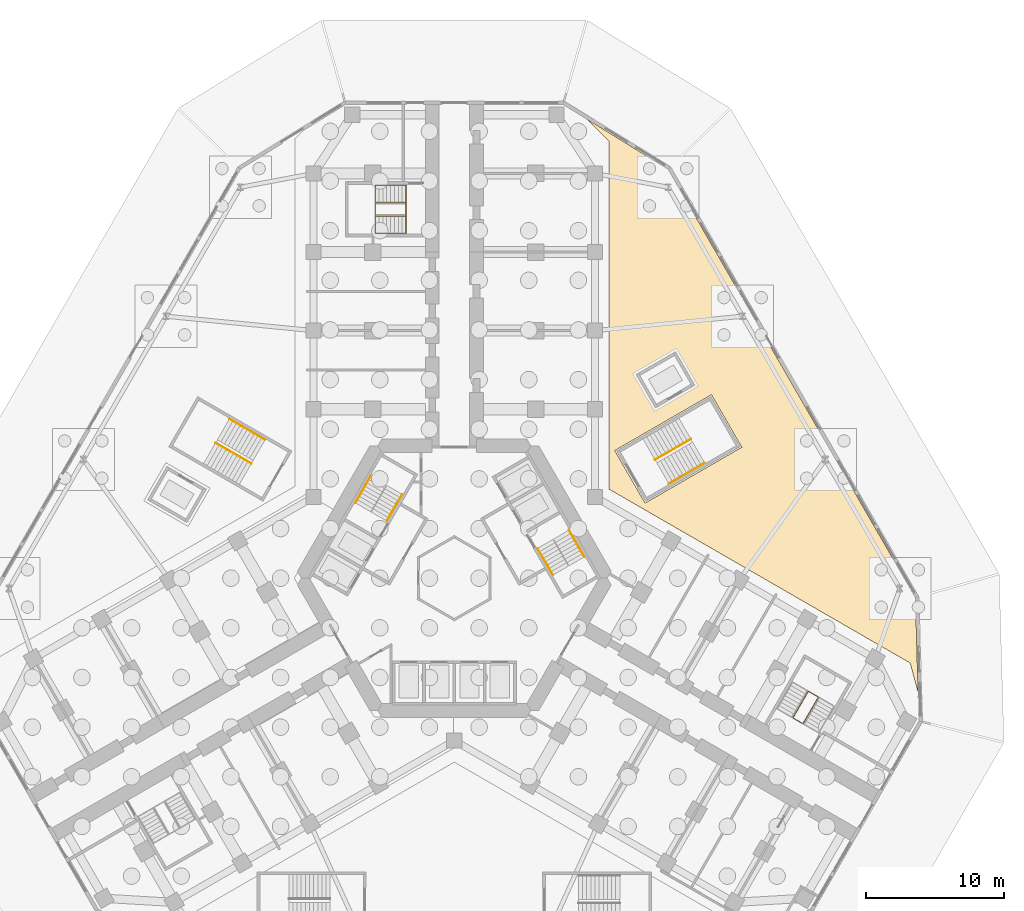
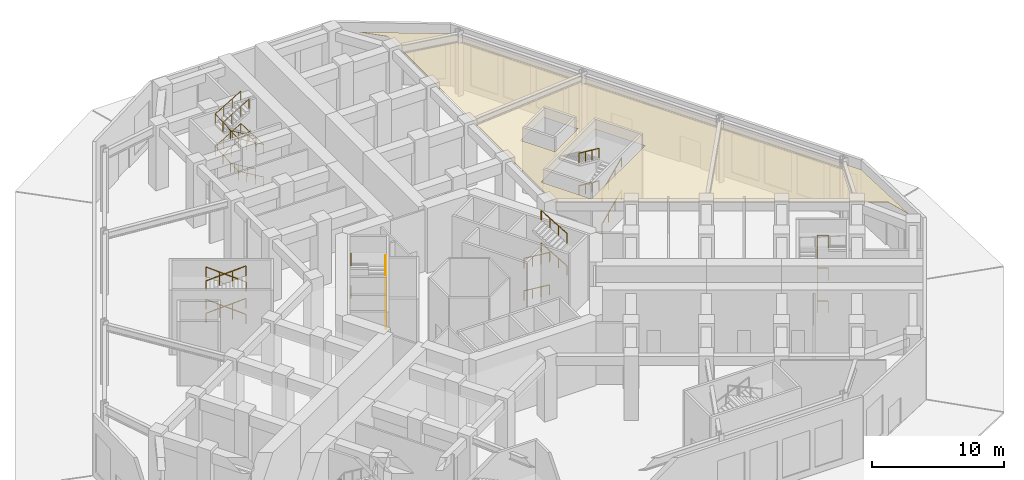
# One storey, part 14 of 16: 19 railings, 1 covering.
"""IFC4 building model written with IfcOpenShell, lengths in metres."""

from ifc_helpers import new_model, si_unit, direction, frame, origin, origin_2d, place, context, subcontext, project, spatial, polyline, circle, outline, extrude, material, layer, layer_set, type_object, element, save


model = new_model("IFC4")

# Units and contexts
model_context = context("Model", 3, precision=1e-05, world=origin(), true_north=direction((0.0, 1.0)))
body_context = subcontext(model_context, "Body", "Model", "MODEL_VIEW")
ifc_project = project(units=[si_unit("LENGTHUNIT", "METRE"), si_unit("AREAUNIT", "SQUARE_METRE"), si_unit("VOLUMEUNIT", "CUBIC_METRE"), si_unit("PLANEANGLEUNIT", "RADIAN"), si_unit("MASSUNIT", "GRAM", prefix="KILO")], contexts=[model_context])

# Site, building, storey
site_placement = place(None, origin())
site = spatial("IfcSite", under=ifc_project, at=site_placement, CompositionType="ELEMENT")
building_placement = place(site_placement, origin())
building = spatial("IfcBuilding", under=site, at=building_placement, Name="Kosmar Iwan School Tower", CompositionType="ELEMENT")
storey_placement = place(building_placement, origin())
storey = spatial("IfcBuildingStorey", under=building, at=storey_placement, Name="L00", CompositionType="ELEMENT", Elevation=0.0)

# Covering
ifc_material_1 = material(Name="Mineral fibre acoustic tiles")
ifc_layer = layer(ifc_material_1, 0.02490234375)
ifc_layer_set = layer_set([ifc_layer], Name="Acoustic ceiling")
covering_type = type_object("IfcCoveringType", Name="Acoustic ceiling", PredefinedType="CEILING", material=ifc_layer_set)
covering_placement = place(storey_placement, frame((0.0, 0.0, 4.800048828125)))
element("IfcCovering", 1, at=covering_placement, inside=storey, type_object=covering_type, Name="Ceiling Dining hall L00-IAC", PredefinedType="CEILING", context=body_context, shape_type="SweptSolid", body=[
    extrude(outline(polyline([(33.629150390625, -8.29052734375), (33.43359375, -1.40869140625), (15.496826171875, 29.65869140625), (9.634521484375, 33.26904296875), (11.199951171875, 31.70361328125), (11.199951171875, 6.46630859375), (33.05615234375, -6.15234375), (33.629150390625, -8.29052734375)]), holes=[polyline([(18.645263671875, 13.30517578125), (11.630615234375, 9.25537109375), (13.83056640625, 5.44482421875), (20.845458984375, 9.49462890625), (18.645263671875, 13.30517578125)]), polyline([(17.57568359375, 13.957763671875), (16.07568359375, 16.555908203125), (13.044677734375, 14.805908203125), (14.544677734375, 12.207763671875), (17.57568359375, 13.957763671875)])]), origin(), (0.0, 0.0, 1.0), 0.02490234375),
])

# Railings
ifc_material_2 = material(Name="Black steel", Category="steel")
railing_type_1 = type_object("IfcRailingType", Name="Stair handrail 900", PredefinedType="HANDRAIL", material=ifc_material_2)
railing_1_placement = place(storey_placement, frame((-4.89453125, 4.142333984375, 0.166748046875)))
element("IfcRailing", 2, at=railing_1_placement, inside=storey, type_object=railing_type_1, Name="Handrail ST2 flight 1", PredefinedType="HANDRAIL", context=body_context, shape_type="SweptSolid", body=[
    extrude(circle(Radius=0.02392578125, at=origin_2d()), frame((0.0, 0.0, 0.8759765625), z_axis=(0.429608131991, 0.744204538217, 0.51146501173), x_axis=(-0.866054910533, 0.49994888933, 0.0)), (0.0, 0.0, 1.0), 2.606689453125),
    extrude(circle(Radius=0.02099609375, at=origin_2d()), origin(), (0.0, 0.0, 1.0), 0.851806640625),
    extrude(circle(Radius=0.02099609375, at=origin_2d()), frame((0.373291015625, 0.646728515625, 0.4443359375)), (0.0, 0.0, 1.0), 0.851806640625),
    extrude(circle(Radius=0.02099609375, at=origin_2d()), frame((0.74658203125, 1.293212890625, 0.888916015625)), (0.0, 0.0, 1.0), 0.851806640625),
    extrude(circle(Radius=0.02099609375, at=origin_2d()), frame((1.119873046875, 1.93994140625, 1.333251953125)), (0.0, 0.0, 1.0), 0.851806640625),
])
railing_2_placement = place(storey_placement, frame((-6.05224609375, 7.397216796875, 1.666748046875)))
element("IfcRailing", 3, at=railing_2_placement, inside=storey, type_object=railing_type_1, Name="Handrail ST2 flight 2", PredefinedType="HANDRAIL", context=body_context, shape_type="SweptSolid", body=[
    extrude(circle(Radius=0.02392578125, at=origin_2d()), frame((0.0, 0.0, 0.8759765625), z_axis=(-0.429684499369, -0.744174592847, 0.511444431354), x_axis=(0.866007717299, -0.500030632641, 0.0)), (0.0, 0.0, 1.0), 2.60693359375),
    extrude(circle(Radius=0.02099609375, at=origin_2d()), origin(), (0.0, 0.0, 1.0), 0.851806640625),
    extrude(circle(Radius=0.02099609375, at=origin_2d()), frame((-0.373291015625, -0.646728515625, 0.4443359375)), (0.0, 0.0, 1.0), 0.851806640625),
    extrude(circle(Radius=0.02099609375, at=origin_2d()), frame((-0.746826171875, -1.293212890625, 0.888916015625)), (0.0, 0.0, 1.0), 0.851806640625),
    extrude(circle(Radius=0.02099609375, at=origin_2d()), frame((-1.1201171875, -1.93994140625, 1.333251953125)), (0.0, 0.0, 1.0), 0.851806640625),
])
railing_3_placement = place(storey_placement, frame((-4.89453125, 4.142333984375, 3.166748046875)))
element("IfcRailing", 4, at=railing_3_placement, inside=storey, type_object=railing_type_1, Name="Handrail ST2 flight 3", PredefinedType="HANDRAIL", context=body_context, shape_type="SweptSolid", body=[
    extrude(circle(Radius=0.02392578125, at=origin_2d()), frame((0.0, 0.0, 0.8759765625), z_axis=(0.429608131991, 0.744204538217, 0.51146501173), x_axis=(-0.866054910533, 0.49994888933, 0.0)), (0.0, 0.0, 1.0), 2.606689453125),
    extrude(circle(Radius=0.02099609375, at=origin_2d()), origin(), (0.0, 0.0, 1.0), 0.851806640625),
    extrude(circle(Radius=0.02099609375, at=origin_2d()), frame((0.373291015625, 0.646728515625, 0.4443359375)), (0.0, 0.0, 1.0), 0.851806640625),
    extrude(circle(Radius=0.02099609375, at=origin_2d()), frame((0.74658203125, 1.293212890625, 0.888916015625)), (0.0, 0.0, 1.0), 0.851806640625),
    extrude(circle(Radius=0.02099609375, at=origin_2d()), frame((1.119873046875, 1.93994140625, 1.333251953125)), (0.0, 0.0, 1.0), 0.851806640625),
])
railing_4_placement = place(storey_placement, frame((-6.05224609375, 7.397216796875, 4.666748046875)))
element("IfcRailing", 5, at=railing_4_placement, inside=storey, type_object=railing_type_1, Name="Handrail ST2 flight 4", PredefinedType="HANDRAIL", context=body_context, shape_type="SweptSolid", body=[
    extrude(circle(Radius=0.02392578125, at=origin_2d()), frame((0.0, 0.0, 0.8759765625), z_axis=(-0.429684499369, -0.744174592847, 0.511444431354), x_axis=(0.866007717299, -0.500030632641, 0.0)), (0.0, 0.0, 1.0), 2.60693359375),
    extrude(circle(Radius=0.02099609375, at=origin_2d()), origin(), (0.0, 0.0, 1.0), 0.851806640625),
    extrude(circle(Radius=0.02099609375, at=origin_2d()), frame((-0.373291015625, -0.646728515625, 0.4443359375)), (0.0, 0.0, 1.0), 0.851806640625),
    extrude(circle(Radius=0.02099609375, at=origin_2d()), frame((-0.746826171875, -1.293212890625, 0.888916015625)), (0.0, 0.0, 1.0), 0.851806640625),
    extrude(circle(Radius=0.02099609375, at=origin_2d()), frame((-1.1201171875, -1.93994140625, 1.333251953125)), (0.0, 0.0, 1.0), 0.851806640625),
])
railing_5_placement = place(storey_placement, frame((6.03466796875, 2.167724609375, 0.166748046875)))
element("IfcRailing", 6, at=railing_5_placement, inside=storey, type_object=railing_type_1, Name="Handrail ST1 flight 1", PredefinedType="HANDRAIL", context=body_context, shape_type="SweptSolid", body=[
    extrude(circle(Radius=0.02392578125, at=origin_2d()), frame((0.0, 0.0, 0.8759765625), z_axis=(0.429608131991, -0.744204538217, 0.51146501173), x_axis=(0.866054910533, 0.49994888933, 0.0)), (0.0, 0.0, 1.0), 2.606689453125),
    extrude(circle(Radius=0.02099609375, at=origin_2d()), origin(), (0.0, 0.0, 1.0), 0.851806640625),
    extrude(circle(Radius=0.02099609375, at=origin_2d()), frame((0.373291015625, -0.646728515625, 0.4443359375)), (0.0, 0.0, 1.0), 0.851806640625),
    extrude(circle(Radius=0.02099609375, at=origin_2d()), frame((0.74658203125, -1.293212890625, 0.888916015625)), (0.0, 0.0, 1.0), 0.851806640625),
    extrude(circle(Radius=0.02099609375, at=origin_2d()), frame((1.119873046875, -1.93994140625, 1.333251953125)), (0.0, 0.0, 1.0), 0.851806640625),
])
railing_6_placement = place(storey_placement, frame((9.432373046875, 1.542724609375, 1.666748046875)))
element("IfcRailing", 7, at=railing_6_placement, inside=storey, type_object=railing_type_1, Name="Handrail ST1 flight 2", PredefinedType="HANDRAIL", context=body_context, shape_type="SweptSolid", body=[
    extrude(circle(Radius=0.02392578125, at=origin_2d()), frame((0.0, 0.0, 0.8759765625), z_axis=(-0.429684499369, 0.744174592847, 0.511444431354), x_axis=(-0.866007717299, -0.500030632641, 0.0)), (0.0, 0.0, 1.0), 2.60693359375),
    extrude(circle(Radius=0.02099609375, at=origin_2d()), origin(), (0.0, 0.0, 1.0), 0.851806640625),
    extrude(circle(Radius=0.02099609375, at=origin_2d()), frame((-0.373291015625, 0.646728515625, 0.4443359375)), (0.0, 0.0, 1.0), 0.851806640625),
    extrude(circle(Radius=0.02099609375, at=origin_2d()), frame((-0.746826171875, 1.293212890625, 0.888916015625)), (0.0, 0.0, 1.0), 0.851806640625),
    extrude(circle(Radius=0.02099609375, at=origin_2d()), frame((-1.1201171875, 1.93994140625, 1.333251953125)), (0.0, 0.0, 1.0), 0.851806640625),
])
railing_7_placement = place(storey_placement, frame((6.03466796875, 2.167724609375, 3.166748046875)))
element("IfcRailing", 8, at=railing_7_placement, inside=storey, type_object=railing_type_1, Name="Handrail ST1 flight 3", PredefinedType="HANDRAIL", context=body_context, shape_type="SweptSolid", body=[
    extrude(circle(Radius=0.02392578125, at=origin_2d()), frame((0.0, 0.0, 0.8759765625), z_axis=(0.429608131991, -0.744204538217, 0.51146501173), x_axis=(0.866054910533, 0.49994888933, 0.0)), (0.0, 0.0, 1.0), 2.606689453125),
    extrude(circle(Radius=0.02099609375, at=origin_2d()), origin(), (0.0, 0.0, 1.0), 0.851806640625),
    extrude(circle(Radius=0.02099609375, at=origin_2d()), frame((0.373291015625, -0.646728515625, 0.4443359375)), (0.0, 0.0, 1.0), 0.851806640625),
    extrude(circle(Radius=0.02099609375, at=origin_2d()), frame((0.74658203125, -1.293212890625, 0.888916015625)), (0.0, 0.0, 1.0), 0.851806640625),
    extrude(circle(Radius=0.02099609375, at=origin_2d()), frame((1.119873046875, -1.93994140625, 1.333251953125)), (0.0, 0.0, 1.0), 0.851806640625),
])
railing_8_placement = place(storey_placement, frame((9.432373046875, 1.542724609375, 4.666748046875)))
element("IfcRailing", 9, at=railing_8_placement, inside=storey, type_object=railing_type_1, Name="Handrail ST1 flight 4", PredefinedType="HANDRAIL", context=body_context, shape_type="SweptSolid", body=[
    extrude(circle(Radius=0.02392578125, at=origin_2d()), frame((0.0, 0.0, 0.8759765625), z_axis=(-0.429684499369, 0.744174592847, 0.511444431354), x_axis=(-0.866007717299, -0.500030632641, 0.0)), (0.0, 0.0, 1.0), 2.60693359375),
    extrude(circle(Radius=0.02099609375, at=origin_2d()), origin(), (0.0, 0.0, 1.0), 0.851806640625),
    extrude(circle(Radius=0.02099609375, at=origin_2d()), frame((-0.373291015625, 0.646728515625, 0.4443359375)), (0.0, 0.0, 1.0), 0.851806640625),
    extrude(circle(Radius=0.02099609375, at=origin_2d()), frame((-0.746826171875, 1.293212890625, 0.888916015625)), (0.0, 0.0, 1.0), 0.851806640625),
    extrude(circle(Radius=0.02099609375, at=origin_2d()), frame((-1.1201171875, 1.93994140625, 1.333251953125)), (0.0, 0.0, 1.0), 0.851806640625),
])
railing_9_placement = place(storey_placement, frame((-3.5, 25.010009765625, 0.166748046875)))
element("IfcRailing", 10, at=railing_9_placement, inside=storey, type_object=railing_type_1, Name="Handrail stair WS1 L00 wall side", PredefinedType="HANDRAIL", context=body_context, shape_type="SweptSolid", body=[
    extrude(circle(Radius=0.02392578125, at=origin_2d()), frame((0.0, 0.0, 0.8759765625), z_axis=(-0.859305625298, 0.0, 0.511462454469), x_axis=(0.0, -1.0, 0.0)), (0.0, 0.0, 1.0), 2.606689453125),
    extrude(circle(Radius=0.02392578125, at=origin_2d()), frame((-2.239990234375, 0.0, 2.208984375), z_axis=(0.0, 0.99885398358, 0.047861461399), x_axis=(-1.0, 0.0, 0.0)), (0.0, 0.0, 1.0), 3.48388671875),
    extrude(circle(Radius=0.02392578125, at=origin_2d()), frame((-2.239990234375, 3.47998046875, 2.3759765625), z_axis=(0.859305625298, 0.0, 0.511462454469), x_axis=(0.0, 1.0, 0.0)), (0.0, 0.0, 1.0), 2.606689453125),
    extrude(circle(Radius=0.02392578125, at=origin_2d()), frame((0.0, 3.47998046875, 3.708984375), z_axis=(0.0, -0.99885398358, 0.047861461399), x_axis=(1.0, 0.0, 0.0)), (0.0, 0.0, 1.0), 3.48388671875),
    extrude(circle(Radius=0.02392578125, at=origin_2d()), frame((0.0, 0.0, 3.8759765625), z_axis=(-0.859305625298, 0.0, 0.511462454469), x_axis=(0.0, -1.0, 0.0)), (0.0, 0.0, 1.0), 2.606689453125),
    extrude(circle(Radius=0.02392578125, at=origin_2d()), frame((-2.239990234375, 0.0, 5.208984375), z_axis=(0.0, 0.99885398358, 0.047861461399), x_axis=(-1.0, 0.0, 0.0)), (0.0, 0.0, 1.0), 3.48388671875),
    extrude(circle(Radius=0.02392578125, at=origin_2d()), frame((-2.239990234375, 3.47998046875, 5.3759765625), z_axis=(0.859305625298, 0.0, 0.511462454469), x_axis=(0.0, 1.0, 0.0)), (0.0, 0.0, 1.0), 2.606689453125),
    extrude(circle(Radius=0.02099609375, at=origin_2d()), origin(), (0.0, 0.0, 1.0), 0.851806640625),
    extrude(circle(Radius=0.02099609375, at=origin_2d()), frame((-0.74658203125, 0.0, 0.4443359375)), (0.0, 0.0, 1.0), 0.851806640625),
    extrude(circle(Radius=0.02099609375, at=origin_2d()), frame((-1.493408203125, 0.0, 0.888916015625)), (0.0, 0.0, 1.0), 0.851806640625),
    extrude(circle(Radius=0.02099609375, at=origin_2d()), frame((-2.239990234375, 0.0, 1.333251953125)), (0.0, 0.0, 1.0), 0.851806640625),
    extrude(circle(Radius=0.02099609375, at=origin_2d()), frame((-2.239990234375, 1.159912109375, 1.388916015625)), (0.0, 0.0, 1.0), 0.851806640625),
    extrude(circle(Radius=0.02099609375, at=origin_2d()), frame((-2.239990234375, 2.320068359375, 1.4443359375)), (0.0, 0.0, 1.0), 0.851806640625),
    extrude(circle(Radius=0.02099609375, at=origin_2d()), frame((-2.239990234375, 3.47998046875, 1.5)), (0.0, 0.0, 1.0), 0.851806640625),
    extrude(circle(Radius=0.02099609375, at=origin_2d()), frame((-1.493408203125, 3.47998046875, 1.9443359375)), (0.0, 0.0, 1.0), 0.851806640625),
    extrude(circle(Radius=0.02099609375, at=origin_2d()), frame((-0.74658203125, 3.47998046875, 2.388916015625)), (0.0, 0.0, 1.0), 0.851806640625),
    extrude(circle(Radius=0.02099609375, at=origin_2d()), frame((0.0, 3.47998046875, 2.833251953125)), (0.0, 0.0, 1.0), 0.851806640625),
    extrude(circle(Radius=0.02099609375, at=origin_2d()), frame((0.0, 2.320068359375, 2.888916015625)), (0.0, 0.0, 1.0), 0.851806640625),
    extrude(circle(Radius=0.02099609375, at=origin_2d()), frame((0.0, 1.159912109375, 2.9443359375)), (0.0, 0.0, 1.0), 0.851806640625),
    extrude(circle(Radius=0.02099609375, at=origin_2d()), frame((0.0, 0.0, 3.0)), (0.0, 0.0, 1.0), 0.851806640625),
    extrude(circle(Radius=0.02099609375, at=origin_2d()), frame((-0.74658203125, 0.0, 3.4443359375)), (0.0, 0.0, 1.0), 0.851806640625),
    extrude(circle(Radius=0.02099609375, at=origin_2d()), frame((-1.493408203125, 0.0, 3.888916015625)), (0.0, 0.0, 1.0), 0.851806640625),
    extrude(circle(Radius=0.02099609375, at=origin_2d()), frame((-2.239990234375, 0.0, 4.333251953125)), (0.0, 0.0, 1.0), 0.851806640625),
    extrude(circle(Radius=0.02099609375, at=origin_2d()), frame((-2.239990234375, 1.159912109375, 4.388916015625)), (0.0, 0.0, 1.0), 0.851806640625),
    extrude(circle(Radius=0.02099609375, at=origin_2d()), frame((-2.239990234375, 2.320068359375, 4.4443359375)), (0.0, 0.0, 1.0), 0.851806640625),
    extrude(circle(Radius=0.02099609375, at=origin_2d()), frame((-2.239990234375, 3.47998046875, 4.5)), (0.0, 0.0, 1.0), 0.851806640625),
    extrude(circle(Radius=0.02099609375, at=origin_2d()), frame((-1.493408203125, 3.47998046875, 4.9443359375)), (0.0, 0.0, 1.0), 0.851806640625),
    extrude(circle(Radius=0.02099609375, at=origin_2d()), frame((-0.74658203125, 3.47998046875, 5.388916015625)), (0.0, 0.0, 1.0), 0.851806640625),
    extrude(circle(Radius=0.02099609375, at=origin_2d()), frame((0.0, 3.47998046875, 5.833251953125)), (0.0, 0.0, 1.0), 0.851806640625),
])
railing_10_placement = place(storey_placement, frame((-3.5, 26.239990234375, 0.166748046875)))
element("IfcRailing", 11, at=railing_10_placement, inside=storey, type_object=railing_type_1, Name="Handrail stair WS1 L00 well side", PredefinedType="HANDRAIL", context=body_context, shape_type="SweptSolid", body=[
    extrude(circle(Radius=0.02392578125, at=origin_2d()), frame((0.0, 0.0, 0.8759765625), z_axis=(-0.859305625298, 0.0, 0.511462454469), x_axis=(0.0, -1.0, 0.0)), (0.0, 0.0, 1.0), 2.606689453125),
    extrude(circle(Radius=0.02392578125, at=origin_2d()), frame((-2.239990234375, 0.0, 2.208984375), z_axis=(0.0, 0.986899895646, 0.16133380295), x_axis=(-1.0, 0.0, 0.0)), (0.0, 0.0, 1.0), 1.033447265625),
    extrude(circle(Radius=0.02392578125, at=origin_2d()), frame((-2.239990234375, 1.02001953125, 2.3759765625), z_axis=(0.859305625298, 0.0, 0.511462454469), x_axis=(0.0, 1.0, 0.0)), (0.0, 0.0, 1.0), 2.606689453125),
    extrude(circle(Radius=0.02392578125, at=origin_2d()), frame((0.0, 1.02001953125, 3.708984375), z_axis=(0.0, -0.986899895646, 0.16133380295), x_axis=(1.0, 0.0, 0.0)), (0.0, 0.0, 1.0), 1.033447265625),
    extrude(circle(Radius=0.02392578125, at=origin_2d()), frame((0.0, 0.0, 3.8759765625), z_axis=(-0.859305625298, 0.0, 0.511462454469), x_axis=(0.0, -1.0, 0.0)), (0.0, 0.0, 1.0), 2.606689453125),
    extrude(circle(Radius=0.02392578125, at=origin_2d()), frame((-2.239990234375, 0.0, 5.208984375), z_axis=(0.0, 0.986899895646, 0.16133380295), x_axis=(-1.0, 0.0, 0.0)), (0.0, 0.0, 1.0), 1.033447265625),
    extrude(circle(Radius=0.02392578125, at=origin_2d()), frame((-2.239990234375, 1.02001953125, 5.3759765625), z_axis=(0.859305625298, 0.0, 0.511462454469), x_axis=(0.0, 1.0, 0.0)), (0.0, 0.0, 1.0), 2.606689453125),
    extrude(circle(Radius=0.02099609375, at=origin_2d()), origin(), (0.0, 0.0, 1.0), 0.851806640625),
    extrude(circle(Radius=0.02099609375, at=origin_2d()), frame((-0.74658203125, 0.0, 0.4443359375)), (0.0, 0.0, 1.0), 0.851806640625),
    extrude(circle(Radius=0.02099609375, at=origin_2d()), frame((-1.493408203125, 0.0, 0.888916015625)), (0.0, 0.0, 1.0), 0.851806640625),
    extrude(circle(Radius=0.02099609375, at=origin_2d()), frame((-2.239990234375, 0.0, 1.333251953125)), (0.0, 0.0, 1.0), 0.851806640625),
    extrude(circle(Radius=0.02099609375, at=origin_2d()), frame((-2.239990234375, 1.02001953125, 1.5)), (0.0, 0.0, 1.0), 0.851806640625),
    extrude(circle(Radius=0.02099609375, at=origin_2d()), frame((-1.493408203125, 1.02001953125, 1.9443359375)), (0.0, 0.0, 1.0), 0.851806640625),
    extrude(circle(Radius=0.02099609375, at=origin_2d()), frame((-0.74658203125, 1.02001953125, 2.388916015625)), (0.0, 0.0, 1.0), 0.851806640625),
    extrude(circle(Radius=0.02099609375, at=origin_2d()), frame((0.0, 1.02001953125, 2.833251953125)), (0.0, 0.0, 1.0), 0.851806640625),
    extrude(circle(Radius=0.02099609375, at=origin_2d()), frame((0.0, 0.0, 3.0)), (0.0, 0.0, 1.0), 0.851806640625),
    extrude(circle(Radius=0.02099609375, at=origin_2d()), frame((-0.74658203125, 0.0, 3.4443359375)), (0.0, 0.0, 1.0), 0.851806640625),
    extrude(circle(Radius=0.02099609375, at=origin_2d()), frame((-1.493408203125, 0.0, 3.888916015625)), (0.0, 0.0, 1.0), 0.851806640625),
    extrude(circle(Radius=0.02099609375, at=origin_2d()), frame((-2.239990234375, 0.0, 4.333251953125)), (0.0, 0.0, 1.0), 0.851806640625),
    extrude(circle(Radius=0.02099609375, at=origin_2d()), frame((-2.239990234375, 1.02001953125, 4.5)), (0.0, 0.0, 1.0), 0.851806640625),
    extrude(circle(Radius=0.02099609375, at=origin_2d()), frame((-1.493408203125, 1.02001953125, 4.9443359375)), (0.0, 0.0, 1.0), 0.851806640625),
    extrude(circle(Radius=0.02099609375, at=origin_2d()), frame((-0.74658203125, 1.02001953125, 5.388916015625)), (0.0, 0.0, 1.0), 0.851806640625),
    extrude(circle(Radius=0.02099609375, at=origin_2d()), frame((0.0, 1.02001953125, 5.833251953125)), (0.0, 0.0, 1.0), 0.851806640625),
])
railing_11_placement = place(storey_placement, frame((15.555908203125, 6.8564453125, 0.136474609375)))
element("IfcRailing", 12, at=railing_11_placement, inside=storey, type_object=railing_type_1, Name="Handrail SS3 flight 1", PredefinedType="HANDRAIL", context=body_context, shape_type="SweptSolid", body=[
    extrude(circle(Radius=0.02392578125, at=origin_2d()), frame((0.0, 0.0, 0.8759765625), z_axis=(0.788391291342, 0.455208729819, 0.413792440762), x_axis=(-0.50002537861, 0.866010750942, 0.0)), (0.0, 0.0, 1.0), 3.295166015625),
    extrude(circle(Radius=0.02099609375, at=origin_2d()), origin(), (0.0, 0.0, 1.0), 0.851806640625),
    extrude(circle(Radius=0.02099609375, at=origin_2d()), frame((0.865966796875, 0.5, 0.45458984375)), (0.0, 0.0, 1.0), 0.851806640625),
    extrude(circle(Radius=0.02099609375, at=origin_2d()), frame((1.73193359375, 1.0, 0.908935546875)), (0.0, 0.0, 1.0), 0.851806640625),
    extrude(circle(Radius=0.02099609375, at=origin_2d()), frame((2.597900390625, 1.5, 1.363525390625)), (0.0, 0.0, 1.0), 0.851806640625),
])
railing_12_placement = place(storey_placement, frame((17.15380859375, 10.088623046875, 1.636474609375)))
element("IfcRailing", 13, at=railing_12_placement, inside=storey, type_object=railing_type_1, Name="Handrail SS3 flight 2", PredefinedType="HANDRAIL", context=body_context, shape_type="SweptSolid", body=[
    extrude(circle(Radius=0.02392578125, at=origin_2d()), frame((0.0, 0.0, 0.8759765625), z_axis=(-0.788391291342, -0.455208729819, 0.413792440762), x_axis=(0.50002537861, -0.866010750942, 0.0)), (0.0, 0.0, 1.0), 3.295166015625),
    extrude(circle(Radius=0.02099609375, at=origin_2d()), origin(), (0.0, 0.0, 1.0), 0.851806640625),
    extrude(circle(Radius=0.02099609375, at=origin_2d()), frame((-0.865966796875, -0.5, 0.45458984375)), (0.0, 0.0, 1.0), 0.851806640625),
    extrude(circle(Radius=0.02099609375, at=origin_2d()), frame((-1.73193359375, -1.0, 0.908935546875)), (0.0, 0.0, 1.0), 0.851806640625),
    extrude(circle(Radius=0.02099609375, at=origin_2d()), frame((-2.597900390625, -1.5, 1.363525390625)), (0.0, 0.0, 1.0), 0.851806640625),
])
railing_13_placement = place(storey_placement, frame((15.555908203125, 6.8564453125, 3.136474609375)))
element("IfcRailing", 14, at=railing_13_placement, inside=storey, type_object=railing_type_1, Name="Handrail SS3 flight 3", PredefinedType="HANDRAIL", context=body_context, shape_type="SweptSolid", body=[
    extrude(circle(Radius=0.02392578125, at=origin_2d()), frame((0.0, 0.0, 0.8759765625), z_axis=(0.788391291342, 0.455208729819, 0.413792440762), x_axis=(-0.50002537861, 0.866010750942, 0.0)), (0.0, 0.0, 1.0), 3.295166015625),
    extrude(circle(Radius=0.02099609375, at=origin_2d()), origin(), (0.0, 0.0, 1.0), 0.851806640625),
    extrude(circle(Radius=0.02099609375, at=origin_2d()), frame((0.865966796875, 0.5, 0.45458984375)), (0.0, 0.0, 1.0), 0.851806640625),
    extrude(circle(Radius=0.02099609375, at=origin_2d()), frame((1.73193359375, 1.0, 0.908935546875)), (0.0, 0.0, 1.0), 0.851806640625),
    extrude(circle(Radius=0.02099609375, at=origin_2d()), frame((2.597900390625, 1.5, 1.363525390625)), (0.0, 0.0, 1.0), 0.851806640625),
])
railing_14_placement = place(storey_placement, frame((17.15380859375, 10.088623046875, 4.636474609375)))
element("IfcRailing", 15, at=railing_14_placement, inside=storey, type_object=railing_type_1, Name="Handrail SS3 flight 4", PredefinedType="HANDRAIL", context=body_context, shape_type="SweptSolid", body=[
    extrude(circle(Radius=0.02392578125, at=origin_2d()), frame((0.0, 0.0, 0.8759765625), z_axis=(-0.788391291342, -0.455208729819, 0.413792440762), x_axis=(0.50002537861, -0.866010750942, 0.0)), (0.0, 0.0, 1.0), 3.295166015625),
    extrude(circle(Radius=0.02099609375, at=origin_2d()), origin(), (0.0, 0.0, 1.0), 0.851806640625),
    extrude(circle(Radius=0.02099609375, at=origin_2d()), frame((-0.865966796875, -0.5, 0.45458984375)), (0.0, 0.0, 1.0), 0.851806640625),
    extrude(circle(Radius=0.02099609375, at=origin_2d()), frame((-1.73193359375, -1.0, 0.908935546875)), (0.0, 0.0, 1.0), 0.851806640625),
    extrude(circle(Radius=0.02099609375, at=origin_2d()), frame((-2.597900390625, -1.5, 1.363525390625)), (0.0, 0.0, 1.0), 0.851806640625),
])
railing_15_placement = place(storey_placement, frame((-13.7158203125, 10.04345703125, 0.136474609375)))
element("IfcRailing", 16, at=railing_15_placement, inside=storey, type_object=railing_type_1, Name="Handrail SS4 flight 1", PredefinedType="HANDRAIL", context=body_context, shape_type="SweptSolid", body=[
    extrude(circle(Radius=0.02392578125, at=origin_2d()), frame((0.0, 0.0, 0.8759765625), z_axis=(-0.78841932743, 0.455182141301, 0.413768271349), x_axis=(-0.499990139034, -0.866031096941, 0.0)), (0.0, 0.0, 1.0), 3.29541015625),
    extrude(circle(Radius=0.02099609375, at=origin_2d()), origin(), (0.0, 0.0, 1.0), 0.851806640625),
    extrude(circle(Radius=0.02099609375, at=origin_2d()), frame((-0.865966796875, 0.5, 0.45458984375)), (0.0, 0.0, 1.0), 0.851806640625),
    extrude(circle(Radius=0.02099609375, at=origin_2d()), frame((-1.732177734375, 1.0, 0.908935546875)), (0.0, 0.0, 1.0), 0.851806640625),
    extrude(circle(Radius=0.02099609375, at=origin_2d()), frame((-2.59814453125, 1.5, 1.363525390625)), (0.0, 0.0, 1.0), 0.851806640625),
])
railing_16_placement = place(storey_placement, frame((-17.31396484375, 9.8115234375, 1.636474609375)))
element("IfcRailing", 17, at=railing_16_placement, inside=storey, type_object=railing_type_1, Name="Handrail SS4 flight 2", PredefinedType="HANDRAIL", context=body_context, shape_type="SweptSolid", body=[
    extrude(circle(Radius=0.02392578125, at=origin_2d()), frame((0.0, 0.0, 0.8759765625), z_axis=(0.78841932743, -0.455182141301, 0.413768271349), x_axis=(0.499990139034, 0.866031096941, 0.0)), (0.0, 0.0, 1.0), 3.29541015625),
    extrude(circle(Radius=0.02099609375, at=origin_2d()), origin(), (0.0, 0.0, 1.0), 0.851806640625),
    extrude(circle(Radius=0.02099609375, at=origin_2d()), frame((0.865966796875, -0.5, 0.45458984375)), (0.0, 0.0, 1.0), 0.851806640625),
    extrude(circle(Radius=0.02099609375, at=origin_2d()), frame((1.732177734375, -1.0, 0.908935546875)), (0.0, 0.0, 1.0), 0.851806640625),
    extrude(circle(Radius=0.02099609375, at=origin_2d()), frame((2.59814453125, -1.5, 1.363525390625)), (0.0, 0.0, 1.0), 0.851806640625),
])
railing_17_placement = place(storey_placement, frame((-13.7158203125, 10.04345703125, 3.136474609375)))
element("IfcRailing", 18, at=railing_17_placement, inside=storey, type_object=railing_type_1, Name="Handrail SS4 flight 3", PredefinedType="HANDRAIL", context=body_context, shape_type="SweptSolid", body=[
    extrude(circle(Radius=0.02392578125, at=origin_2d()), frame((0.0, 0.0, 0.8759765625), z_axis=(-0.78841932743, 0.455182141301, 0.413768271349), x_axis=(-0.499990139034, -0.866031096941, 0.0)), (0.0, 0.0, 1.0), 3.29541015625),
    extrude(circle(Radius=0.02099609375, at=origin_2d()), origin(), (0.0, 0.0, 1.0), 0.851806640625),
    extrude(circle(Radius=0.02099609375, at=origin_2d()), frame((-0.865966796875, 0.5, 0.45458984375)), (0.0, 0.0, 1.0), 0.851806640625),
    extrude(circle(Radius=0.02099609375, at=origin_2d()), frame((-1.732177734375, 1.0, 0.908935546875)), (0.0, 0.0, 1.0), 0.851806640625),
    extrude(circle(Radius=0.02099609375, at=origin_2d()), frame((-2.59814453125, 1.5, 1.363525390625)), (0.0, 0.0, 1.0), 0.851806640625),
])
railing_18_placement = place(storey_placement, frame((-17.31396484375, 9.8115234375, 4.636474609375)))
element("IfcRailing", 19, at=railing_18_placement, inside=storey, type_object=railing_type_1, Name="Handrail SS4 flight 4", PredefinedType="HANDRAIL", context=body_context, shape_type="SweptSolid", body=[
    extrude(circle(Radius=0.02392578125, at=origin_2d()), frame((0.0, 0.0, 0.8759765625), z_axis=(0.78841932743, -0.455182141301, 0.413768271349), x_axis=(0.499990139034, 0.866031096941, 0.0)), (0.0, 0.0, 1.0), 3.29541015625),
    extrude(circle(Radius=0.02099609375, at=origin_2d()), origin(), (0.0, 0.0, 1.0), 0.851806640625),
    extrude(circle(Radius=0.02099609375, at=origin_2d()), frame((0.865966796875, -0.5, 0.45458984375)), (0.0, 0.0, 1.0), 0.851806640625),
    extrude(circle(Radius=0.02099609375, at=origin_2d()), frame((1.732177734375, -1.0, 0.908935546875)), (0.0, 0.0, 1.0), 0.851806640625),
    extrude(circle(Radius=0.02099609375, at=origin_2d()), frame((2.59814453125, -1.5, 1.363525390625)), (0.0, 0.0, 1.0), 0.851806640625),
])
ifc_material_3 = material(Name="Black steel", Category="steel")
railing_type_2 = type_object("IfcRailingType", Name="Stair well guard 1100", PredefinedType="GUARDRAIL", material=ifc_material_3)
railing_19_placement = place(storey_placement, frame((25.280029296875, -10.553955078125, 0.0)))
element("IfcRailing", 20, at=railing_19_placement, inside=storey, type_object=railing_type_2, Name="Stair WS3 L00 well guard", PredefinedType="GUARDRAIL", context=body_context, shape_type="SweptSolid", body=[
    extrude(circle(Radius=0.02392578125, at=origin_2d()), frame((0.0, 0.0, 1.076171875), z_axis=(-0.865962960534, 0.500108139288, 0.0), x_axis=(-0.500108139288, -0.865962960534, 0.0)), (0.0, 0.0, 1.0), 0.840087890625),
    extrude(circle(Radius=0.02392578125, at=origin_2d()), frame((-0.7275390625, 0.420166015625, 1.076171875), z_axis=(0.415436761713, 0.719565090868, 0.556451594499), x_axis=(-0.866027664105, 0.49999608499, 0.0)), (0.0, 0.0, 1.0), 2.695556640625),
    extrude(circle(Radius=0.02392578125, at=origin_2d()), frame((0.392333984375, 2.35986328125, 2.576171875), z_axis=(0.866088799389, -0.499890179513, 0.0), x_axis=(0.499890179513, 0.866088799389, 0.0)), (0.0, 0.0, 1.0), 0.840087890625),
    extrude(circle(Radius=0.02392578125, at=origin_2d()), frame((1.119873046875, 1.93994140625, 2.576171875), z_axis=(-0.415409688733, -0.719608760992, 0.556415331933), x_axis=(0.866054910533, -0.49994888933, 0.0)), (0.0, 0.0, 1.0), 2.69580078125),
    extrude(circle(Radius=0.02392578125, at=origin_2d()), frame((0.0, 0.0, 4.076171875), z_axis=(-0.865962960534, 0.500108139288, 0.0), x_axis=(-0.500108139288, -0.865962960534, 0.0)), (0.0, 0.0, 1.0), 0.840087890625),
    extrude(circle(Radius=0.02392578125, at=origin_2d()), frame((-0.7275390625, 0.420166015625, 4.076171875), z_axis=(0.415436761713, 0.719565090868, 0.556451594499), x_axis=(-0.866027664105, 0.49999608499, 0.0)), (0.0, 0.0, 1.0), 2.695556640625),
    extrude(circle(Radius=0.02392578125, at=origin_2d()), frame((0.392333984375, 2.35986328125, 5.576171875), z_axis=(0.866088799389, -0.499890179513, 0.0), x_axis=(0.499890179513, 0.866088799389, 0.0)), (0.0, 0.0, 1.0), 0.840087890625),
    extrude(circle(Radius=0.02392578125, at=origin_2d()), frame((1.119873046875, 1.93994140625, 5.576171875), z_axis=(-0.415409688733, -0.719608760992, 0.556415331933), x_axis=(0.866054910533, -0.49994888933, 0.0)), (0.0, 0.0, 1.0), 2.69580078125),
    extrude(circle(Radius=0.02099609375, at=origin_2d()), origin(), (0.0, 0.0, 1.0), 1.052001953125),
    extrude(circle(Radius=0.02099609375, at=origin_2d()), frame((-0.7275390625, 0.420166015625, 0.0)), (0.0, 0.0, 1.0), 1.052001953125),
    extrude(circle(Radius=0.02099609375, at=origin_2d()), frame((-0.354248046875, 1.066650390625, 0.5)), (0.0, 0.0, 1.0), 1.052001953125),
    extrude(circle(Radius=0.02099609375, at=origin_2d()), frame((0.01904296875, 1.71337890625, 1.0)), (0.0, 0.0, 1.0), 1.052001953125),
    extrude(circle(Radius=0.02099609375, at=origin_2d()), frame((0.392333984375, 2.35986328125, 1.5)), (0.0, 0.0, 1.0), 1.052001953125),
    extrude(circle(Radius=0.02099609375, at=origin_2d()), frame((1.119873046875, 1.93994140625, 1.5)), (0.0, 0.0, 1.0), 1.052001953125),
    extrude(circle(Radius=0.02099609375, at=origin_2d()), frame((0.74658203125, 1.293212890625, 2.0)), (0.0, 0.0, 1.0), 1.052001953125),
    extrude(circle(Radius=0.02099609375, at=origin_2d()), frame((0.373291015625, 0.646728515625, 2.5)), (0.0, 0.0, 1.0), 1.052001953125),
    extrude(circle(Radius=0.02099609375, at=origin_2d()), frame((0.0, 0.0, 3.0)), (0.0, 0.0, 1.0), 1.052001953125),
    extrude(circle(Radius=0.02099609375, at=origin_2d()), frame((-0.7275390625, 0.420166015625, 3.0)), (0.0, 0.0, 1.0), 1.052001953125),
    extrude(circle(Radius=0.02099609375, at=origin_2d()), frame((-0.354248046875, 1.066650390625, 3.5)), (0.0, 0.0, 1.0), 1.052001953125),
    extrude(circle(Radius=0.02099609375, at=origin_2d()), frame((0.01904296875, 1.71337890625, 4.0)), (0.0, 0.0, 1.0), 1.052001953125),
    extrude(circle(Radius=0.02099609375, at=origin_2d()), frame((0.392333984375, 2.35986328125, 4.5)), (0.0, 0.0, 1.0), 1.052001953125),
    extrude(circle(Radius=0.02099609375, at=origin_2d()), frame((1.119873046875, 1.93994140625, 4.5)), (0.0, 0.0, 1.0), 1.052001953125),
    extrude(circle(Radius=0.02099609375, at=origin_2d()), frame((0.74658203125, 1.293212890625, 5.0)), (0.0, 0.0, 1.0), 1.052001953125),
    extrude(circle(Radius=0.02099609375, at=origin_2d()), frame((0.373291015625, 0.646728515625, 5.5)), (0.0, 0.0, 1.0), 1.052001953125),
    extrude(circle(Radius=0.02099609375, at=origin_2d()), frame((0.0, 0.0, 6.0)), (0.0, 0.0, 1.0), 1.052001953125),
])

save(model, "model.ifc")
